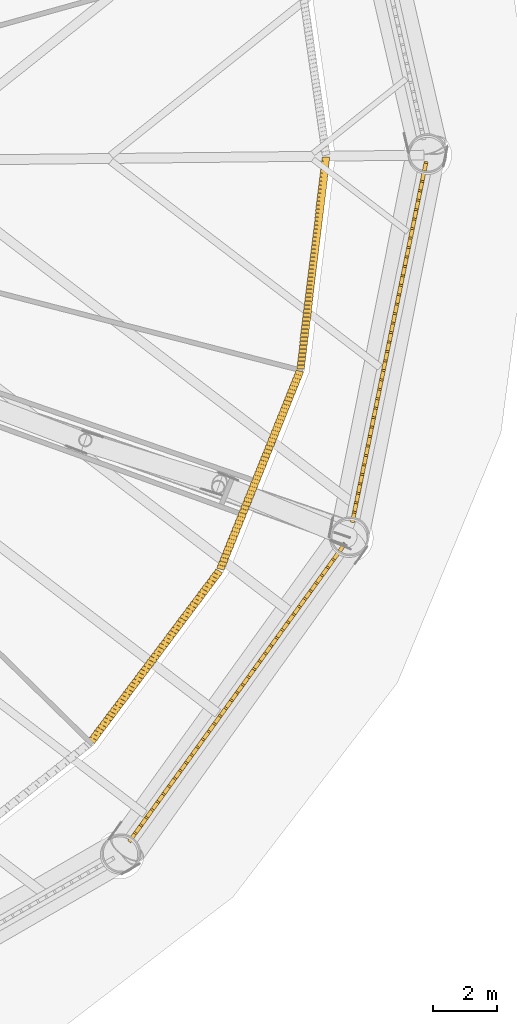
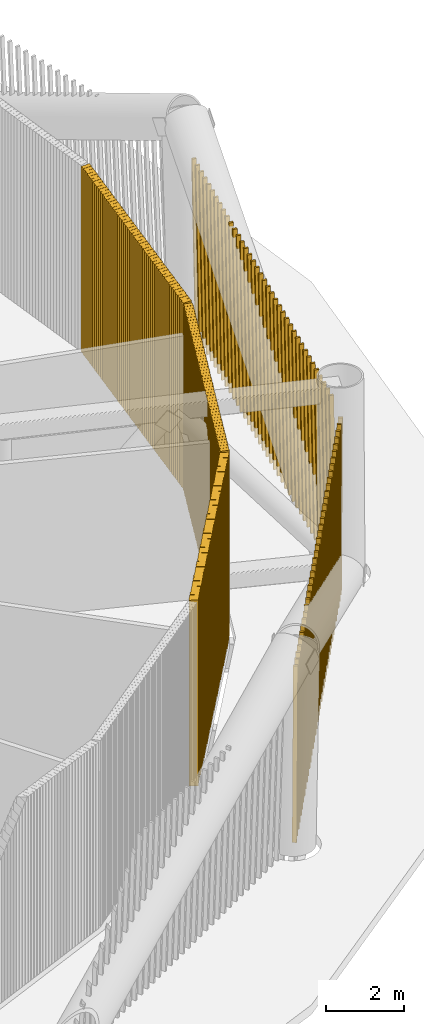
# One storey, part 42 of 48: 5 shading devices.
"""IFC4 building model written with IfcOpenShell, lengths in metres."""

from ifc_helpers import new_model, si_unit, direction, frame, frame_2d, origin, place, context, subcontext, project, spatial, rectangle, composite_profile, extrude, material, type_object, element, save


model = new_model("IFC4")

# Units and contexts
model_context = context("Model", 3, precision=1e-05, world=origin(), true_north=direction((0.0, 1.0)))
body_context = subcontext(model_context, "Body", "Model", "MODEL_VIEW")
ifc_project = project(units=[si_unit("LENGTHUNIT", "METRE"), si_unit("AREAUNIT", "SQUARE_METRE"), si_unit("VOLUMEUNIT", "CUBIC_METRE"), si_unit("PLANEANGLEUNIT", "RADIAN"), si_unit("MASSUNIT", "GRAM", prefix="KILO")], contexts=[model_context])

# Site, building, storey
site_placement = place(None, origin())
site = spatial("IfcSite", under=ifc_project, at=site_placement, CompositionType="ELEMENT")
building_placement = place(site_placement, origin())
building = spatial("IfcBuilding", under=site, at=building_placement, Name="Tarsis Ring Headquarters", CompositionType="ELEMENT")
storey_placement = place(building_placement, frame((0.0, 0.0, 34.0)))
storey = spatial("IfcBuildingStorey", under=building, at=storey_placement, Name="L06", CompositionType="ELEMENT", Elevation=34.0)

# Shading devices
ifc_material_1 = material(Name="Aluminium louvre", Category="aluminium")
shading_device_type_1 = type_object("IfcShadingDeviceType", Name="Plant louvre fin", PredefinedType="USERDEFINED", material=ifc_material_1)
shading_device_1_placement = place(storey_placement, frame((18.49609375, -18.08984375, 0.0), z_axis=(0.0, 0.0, 1.0), x_axis=(0.600414078675, 0.799680360321, 0.0)))
element("IfcShadingDevice", 1, at=shading_device_1_placement, inside=storey, type_object=shading_device_type_1, Name="Louvre L06-21", ObjectType="Louvre", PredefinedType="USERDEFINED", context=body_context, shape_type="SweptSolid", body=[
    extrude(composite_profile([rectangle(XDim=0.1201171875, YDim=0.239990234375, at=frame_2d((0.076171875, 0.0), x_axis=(0.990268068742, 0.13917310096))), rectangle(XDim=0.1201171875, YDim=0.239990234375, at=frame_2d((0.202392578125, 0.0), x_axis=(0.990268068742, 0.13917310096))), rectangle(XDim=0.1201171875, YDim=0.239990234375, at=frame_2d((0.328857421875, 0.0), x_axis=(0.990268068742, 0.13917310096))), rectangle(XDim=0.1201171875, YDim=0.239990234375, at=frame_2d((0.455078125, 0.0), x_axis=(0.990268068742, 0.13917310096))), rectangle(XDim=0.1201171875, YDim=0.239990234375, at=frame_2d((0.58154296875, 0.0), x_axis=(0.990268068742, 0.13917310096))), rectangle(XDim=0.1201171875, YDim=0.239990234375, at=frame_2d((0.707763671875, 0.0), x_axis=(0.990268068742, 0.13917310096))), rectangle(XDim=0.1201171875, YDim=0.239990234375, at=frame_2d((0.834228515625, 0.0), x_axis=(0.990268068742, 0.13917310096))), rectangle(XDim=0.1201171875, YDim=0.239990234375, at=frame_2d((0.96044921875, 0.0), x_axis=(0.990268068742, 0.13917310096))), rectangle(XDim=0.1201171875, YDim=0.239990234375, at=frame_2d((1.0869140625, 0.0), x_axis=(0.990268068742, 0.13917310096))), rectangle(XDim=0.1201171875, YDim=0.239990234375, at=frame_2d((1.213134765625, 0.0), x_axis=(0.990268068742, 0.13917310096))), rectangle(XDim=0.1201171875, YDim=0.239990234375, at=frame_2d((1.33935546875, 0.0), x_axis=(0.990268068742, 0.13917310096))), rectangle(XDim=0.1201171875, YDim=0.239990234375, at=frame_2d((1.4658203125, 0.0), x_axis=(0.990268068742, 0.13917310096))), rectangle(XDim=0.1201171875, YDim=0.239990234375, at=frame_2d((1.592041015625, 0.0), x_axis=(0.990268068742, 0.13917310096))), rectangle(XDim=0.1201171875, YDim=0.239990234375, at=frame_2d((1.718505859375, 0.0), x_axis=(0.990268068742, 0.13917310096))), rectangle(XDim=0.1201171875, YDim=0.239990234375, at=frame_2d((1.8447265625, 0.0), x_axis=(0.990268068742, 0.13917310096))), rectangle(XDim=0.1201171875, YDim=0.239990234375, at=frame_2d((1.97119140625, 0.0), x_axis=(0.990268068742, 0.13917310096))), rectangle(XDim=0.1201171875, YDim=0.239990234375, at=frame_2d((2.097412109375, 0.0), x_axis=(0.990268068742, 0.13917310096))), rectangle(XDim=0.1201171875, YDim=0.239990234375, at=frame_2d((2.223876953125, 0.0), x_axis=(0.990268068742, 0.13917310096))), rectangle(XDim=0.1201171875, YDim=0.239990234375, at=frame_2d((2.35009765625, 0.0), x_axis=(0.990268068742, 0.13917310096))), rectangle(XDim=0.1201171875, YDim=0.239990234375, at=frame_2d((2.476318359375, 0.0), x_axis=(0.990268068742, 0.13917310096))), rectangle(XDim=0.1201171875, YDim=0.239990234375, at=frame_2d((2.602783203125, 0.0), x_axis=(0.990268068742, 0.13917310096))), rectangle(XDim=0.1201171875, YDim=0.239990234375, at=frame_2d((2.72900390625, 0.0), x_axis=(0.990268068742, 0.13917310096))), rectangle(XDim=0.1201171875, YDim=0.239990234375, at=frame_2d((2.85546875, 0.0), x_axis=(0.990268068742, 0.13917310096))), rectangle(XDim=0.1201171875, YDim=0.239990234375, at=frame_2d((2.981689453125, 0.0), x_axis=(0.990268068742, 0.13917310096))), rectangle(XDim=0.1201171875, YDim=0.239990234375, at=frame_2d((3.108154296875, 0.0), x_axis=(0.990268068742, 0.13917310096))), rectangle(XDim=0.1201171875, YDim=0.239990234375, at=frame_2d((3.234375, 0.0), x_axis=(0.990268068742, 0.13917310096))), rectangle(XDim=0.1201171875, YDim=0.239990234375, at=frame_2d((3.36083984375, 0.0), x_axis=(0.990268068742, 0.13917310096))), rectangle(XDim=0.1201171875, YDim=0.239990234375, at=frame_2d((3.487060546875, 0.0), x_axis=(0.990268068742, 0.13917310096))), rectangle(XDim=0.1201171875, YDim=0.239990234375, at=frame_2d((3.61328125, 0.0), x_axis=(0.990268068742, 0.13917310096))), rectangle(XDim=0.1201171875, YDim=0.239990234375, at=frame_2d((3.73974609375, 0.0), x_axis=(0.990268068742, 0.13917310096))), rectangle(XDim=0.1201171875, YDim=0.239990234375, at=frame_2d((3.865966796875, 0.0), x_axis=(0.990268068742, 0.13917310096))), rectangle(XDim=0.1201171875, YDim=0.239990234375, at=frame_2d((3.992431640625, 0.0), x_axis=(0.990268068742, 0.13917310096))), rectangle(XDim=0.1201171875, YDim=0.239990234375, at=frame_2d((4.11865234375, 0.0), x_axis=(0.990268068742, 0.13917310096))), rectangle(XDim=0.1201171875, YDim=0.239990234375, at=frame_2d((4.2451171875, 0.0), x_axis=(0.990268068742, 0.13917310096))), rectangle(XDim=0.1201171875, YDim=0.239990234375, at=frame_2d((4.371337890625, 0.0), x_axis=(0.990268068742, 0.13917310096))), rectangle(XDim=0.1201171875, YDim=0.239990234375, at=frame_2d((4.49755859375, 0.0), x_axis=(0.990268068742, 0.13917310096))), rectangle(XDim=0.1201171875, YDim=0.239990234375, at=frame_2d((4.6240234375, 0.0), x_axis=(0.990268068742, 0.13917310096))), rectangle(XDim=0.1201171875, YDim=0.239990234375, at=frame_2d((4.750244140625, 0.0), x_axis=(0.990268068742, 0.13917310096))), rectangle(XDim=0.1201171875, YDim=0.239990234375, at=frame_2d((4.876708984375, 0.0), x_axis=(0.990268068742, 0.13917310096))), rectangle(XDim=0.1201171875, YDim=0.239990234375, at=frame_2d((5.0029296875, 0.0), x_axis=(0.990268068742, 0.13917310096))), rectangle(XDim=0.1201171875, YDim=0.239990234375, at=frame_2d((5.12939453125, 0.0), x_axis=(0.990268068742, 0.13917310096))), rectangle(XDim=0.1201171875, YDim=0.239990234375, at=frame_2d((5.255615234375, 0.0), x_axis=(0.990268068742, 0.13917310096))), rectangle(XDim=0.1201171875, YDim=0.239990234375, at=frame_2d((5.382080078125, 0.0), x_axis=(0.990268068742, 0.13917310096))), rectangle(XDim=0.1201171875, YDim=0.239990234375, at=frame_2d((5.50830078125, 0.0), x_axis=(0.990268068742, 0.13917310096))), rectangle(XDim=0.1201171875, YDim=0.239990234375, at=frame_2d((5.634521484375, 0.0), x_axis=(0.990268068742, 0.13917310096))), rectangle(XDim=0.1201171875, YDim=0.239990234375, at=frame_2d((5.760986328125, 0.0), x_axis=(0.990268068742, 0.13917310096))), rectangle(XDim=0.1201171875, YDim=0.239990234375, at=frame_2d((5.88720703125, 0.0), x_axis=(0.990268068742, 0.13917310096))), rectangle(XDim=0.1201171875, YDim=0.239990234375, at=frame_2d((6.013671875, 0.0), x_axis=(0.990268068742, 0.13917310096))), rectangle(XDim=0.1201171875, YDim=0.239990234375, at=frame_2d((6.139892578125, 0.0), x_axis=(0.990268068742, 0.13917310096))), rectangle(XDim=0.1201171875, YDim=0.239990234375, at=frame_2d((6.266357421875, 0.0), x_axis=(0.990268068742, 0.13917310096))), rectangle(XDim=0.1201171875, YDim=0.239990234375, at=frame_2d((6.392578125, 0.0), x_axis=(0.990268068742, 0.13917310096))), rectangle(XDim=0.1201171875, YDim=0.239990234375, at=frame_2d((6.51904296875, 0.0), x_axis=(0.990268068742, 0.13917310096))), rectangle(XDim=0.1201171875, YDim=0.239990234375, at=frame_2d((6.645263671875, 0.0), x_axis=(0.990268068742, 0.13917310096)))]), origin(), (0.0, 0.0, 1.0), 5.840087890625),
])
shading_device_2_placement = place(storey_placement, frame((22.5478515625, -12.686279296875, 0.0), z_axis=(0.0, 0.0, 1.0), x_axis=(0.37299771167, 0.92782681341, 0.0)))
element("IfcShadingDevice", 2, at=shading_device_2_placement, inside=storey, type_object=shading_device_type_1, Name="Louvre L06-22", ObjectType="Louvre", PredefinedType="USERDEFINED", context=body_context, shape_type="SweptSolid", body=[
    extrude(composite_profile([rectangle(XDim=0.1201171875, YDim=0.239990234375, at=frame_2d((0.076171875, 0.0), x_axis=(0.990268068742, 0.13917310096))), rectangle(XDim=0.1201171875, YDim=0.239990234375, at=frame_2d((0.202392578125, 0.0), x_axis=(0.990268068742, 0.13917310096))), rectangle(XDim=0.1201171875, YDim=0.239990234375, at=frame_2d((0.328857421875, 0.0), x_axis=(0.990268068742, 0.13917310096))), rectangle(XDim=0.1201171875, YDim=0.239990234375, at=frame_2d((0.455078125, 0.0), x_axis=(0.990268068742, 0.13917310096))), rectangle(XDim=0.1201171875, YDim=0.239990234375, at=frame_2d((0.58154296875, 0.0), x_axis=(0.990268068742, 0.13917310096))), rectangle(XDim=0.1201171875, YDim=0.239990234375, at=frame_2d((0.707763671875, 0.0), x_axis=(0.990268068742, 0.13917310096))), rectangle(XDim=0.1201171875, YDim=0.239990234375, at=frame_2d((0.834228515625, 0.0), x_axis=(0.990268068742, 0.13917310096))), rectangle(XDim=0.1201171875, YDim=0.239990234375, at=frame_2d((0.96044921875, 0.0), x_axis=(0.990268068742, 0.13917310096))), rectangle(XDim=0.1201171875, YDim=0.239990234375, at=frame_2d((1.0869140625, 0.0), x_axis=(0.990268068742, 0.13917310096))), rectangle(XDim=0.1201171875, YDim=0.239990234375, at=frame_2d((1.213134765625, 0.0), x_axis=(0.990268068742, 0.13917310096))), rectangle(XDim=0.1201171875, YDim=0.239990234375, at=frame_2d((1.33935546875, 0.0), x_axis=(0.990268068742, 0.13917310096))), rectangle(XDim=0.1201171875, YDim=0.239990234375, at=frame_2d((1.4658203125, 0.0), x_axis=(0.990268068742, 0.13917310096))), rectangle(XDim=0.1201171875, YDim=0.239990234375, at=frame_2d((1.592041015625, 0.0), x_axis=(0.990268068742, 0.13917310096))), rectangle(XDim=0.1201171875, YDim=0.239990234375, at=frame_2d((1.718505859375, 0.0), x_axis=(0.990268068742, 0.13917310096))), rectangle(XDim=0.1201171875, YDim=0.239990234375, at=frame_2d((1.8447265625, 0.0), x_axis=(0.990268068742, 0.13917310096))), rectangle(XDim=0.1201171875, YDim=0.239990234375, at=frame_2d((1.97119140625, 0.0), x_axis=(0.990268068742, 0.13917310096))), rectangle(XDim=0.1201171875, YDim=0.239990234375, at=frame_2d((2.097412109375, 0.0), x_axis=(0.990268068742, 0.13917310096))), rectangle(XDim=0.1201171875, YDim=0.239990234375, at=frame_2d((2.223876953125, 0.0), x_axis=(0.990268068742, 0.13917310096))), rectangle(XDim=0.1201171875, YDim=0.239990234375, at=frame_2d((2.35009765625, 0.0), x_axis=(0.990268068742, 0.13917310096))), rectangle(XDim=0.1201171875, YDim=0.239990234375, at=frame_2d((2.476318359375, 0.0), x_axis=(0.990268068742, 0.13917310096))), rectangle(XDim=0.1201171875, YDim=0.239990234375, at=frame_2d((2.602783203125, 0.0), x_axis=(0.990268068742, 0.13917310096))), rectangle(XDim=0.1201171875, YDim=0.239990234375, at=frame_2d((2.72900390625, 0.0), x_axis=(0.990268068742, 0.13917310096))), rectangle(XDim=0.1201171875, YDim=0.239990234375, at=frame_2d((2.85546875, 0.0), x_axis=(0.990268068742, 0.13917310096))), rectangle(XDim=0.1201171875, YDim=0.239990234375, at=frame_2d((2.981689453125, 0.0), x_axis=(0.990268068742, 0.13917310096))), rectangle(XDim=0.1201171875, YDim=0.239990234375, at=frame_2d((3.108154296875, 0.0), x_axis=(0.990268068742, 0.13917310096))), rectangle(XDim=0.1201171875, YDim=0.239990234375, at=frame_2d((3.234375, 0.0), x_axis=(0.990268068742, 0.13917310096))), rectangle(XDim=0.1201171875, YDim=0.239990234375, at=frame_2d((3.36083984375, 0.0), x_axis=(0.990268068742, 0.13917310096))), rectangle(XDim=0.1201171875, YDim=0.239990234375, at=frame_2d((3.487060546875, 0.0), x_axis=(0.990268068742, 0.13917310096))), rectangle(XDim=0.1201171875, YDim=0.239990234375, at=frame_2d((3.61328125, 0.0), x_axis=(0.990268068742, 0.13917310096))), rectangle(XDim=0.1201171875, YDim=0.239990234375, at=frame_2d((3.73974609375, 0.0), x_axis=(0.990268068742, 0.13917310096))), rectangle(XDim=0.1201171875, YDim=0.239990234375, at=frame_2d((3.865966796875, 0.0), x_axis=(0.990268068742, 0.13917310096))), rectangle(XDim=0.1201171875, YDim=0.239990234375, at=frame_2d((3.992431640625, 0.0), x_axis=(0.990268068742, 0.13917310096))), rectangle(XDim=0.1201171875, YDim=0.239990234375, at=frame_2d((4.11865234375, 0.0), x_axis=(0.990268068742, 0.13917310096))), rectangle(XDim=0.1201171875, YDim=0.239990234375, at=frame_2d((4.2451171875, 0.0), x_axis=(0.990268068742, 0.13917310096))), rectangle(XDim=0.1201171875, YDim=0.239990234375, at=frame_2d((4.371337890625, 0.0), x_axis=(0.990268068742, 0.13917310096))), rectangle(XDim=0.1201171875, YDim=0.239990234375, at=frame_2d((4.49755859375, 0.0), x_axis=(0.990268068742, 0.13917310096))), rectangle(XDim=0.1201171875, YDim=0.239990234375, at=frame_2d((4.6240234375, 0.0), x_axis=(0.990268068742, 0.13917310096))), rectangle(XDim=0.1201171875, YDim=0.239990234375, at=frame_2d((4.750244140625, 0.0), x_axis=(0.990268068742, 0.13917310096))), rectangle(XDim=0.1201171875, YDim=0.239990234375, at=frame_2d((4.876708984375, 0.0), x_axis=(0.990268068742, 0.13917310096))), rectangle(XDim=0.1201171875, YDim=0.239990234375, at=frame_2d((5.0029296875, 0.0), x_axis=(0.990268068742, 0.13917310096))), rectangle(XDim=0.1201171875, YDim=0.239990234375, at=frame_2d((5.12939453125, 0.0), x_axis=(0.990268068742, 0.13917310096))), rectangle(XDim=0.1201171875, YDim=0.239990234375, at=frame_2d((5.255615234375, 0.0), x_axis=(0.990268068742, 0.13917310096))), rectangle(XDim=0.1201171875, YDim=0.239990234375, at=frame_2d((5.382080078125, 0.0), x_axis=(0.990268068742, 0.13917310096))), rectangle(XDim=0.1201171875, YDim=0.239990234375, at=frame_2d((5.50830078125, 0.0), x_axis=(0.990268068742, 0.13917310096))), rectangle(XDim=0.1201171875, YDim=0.239990234375, at=frame_2d((5.634521484375, 0.0), x_axis=(0.990268068742, 0.13917310096))), rectangle(XDim=0.1201171875, YDim=0.239990234375, at=frame_2d((5.760986328125, 0.0), x_axis=(0.990268068742, 0.13917310096))), rectangle(XDim=0.1201171875, YDim=0.239990234375, at=frame_2d((5.88720703125, 0.0), x_axis=(0.990268068742, 0.13917310096))), rectangle(XDim=0.1201171875, YDim=0.239990234375, at=frame_2d((6.013671875, 0.0), x_axis=(0.990268068742, 0.13917310096))), rectangle(XDim=0.1201171875, YDim=0.239990234375, at=frame_2d((6.139892578125, 0.0), x_axis=(0.990268068742, 0.13917310096))), rectangle(XDim=0.1201171875, YDim=0.239990234375, at=frame_2d((6.266357421875, 0.0), x_axis=(0.990268068742, 0.13917310096))), rectangle(XDim=0.1201171875, YDim=0.239990234375, at=frame_2d((6.392578125, 0.0), x_axis=(0.990268068742, 0.13917310096))), rectangle(XDim=0.1201171875, YDim=0.239990234375, at=frame_2d((6.51904296875, 0.0), x_axis=(0.990268068742, 0.13917310096))), rectangle(XDim=0.1201171875, YDim=0.239990234375, at=frame_2d((6.645263671875, 0.0), x_axis=(0.990268068742, 0.13917310096)))]), origin(), (0.0, 0.0, 1.0), 5.840087890625),
])
shading_device_3_placement = place(storey_placement, frame((25.06298828125, -6.418212890625, 0.0), z_axis=(0.0, 0.0, 1.0), x_axis=(0.120155461117, 0.992771784534, 0.0)))
element("IfcShadingDevice", 3, at=shading_device_3_placement, inside=storey, type_object=shading_device_type_1, Name="Louvre L06-23", ObjectType="Louvre", PredefinedType="USERDEFINED", context=body_context, shape_type="SweptSolid", body=[
    extrude(composite_profile([rectangle(XDim=0.1201171875, YDim=0.239990234375, at=frame_2d((0.076171875, 0.0), x_axis=(0.990268068742, 0.13917310096))), rectangle(XDim=0.1201171875, YDim=0.239990234375, at=frame_2d((0.202392578125, 0.0), x_axis=(0.990268068742, 0.13917310096))), rectangle(XDim=0.1201171875, YDim=0.239990234375, at=frame_2d((0.328857421875, 0.0), x_axis=(0.990268068742, 0.13917310096))), rectangle(XDim=0.1201171875, YDim=0.239990234375, at=frame_2d((0.455078125, 0.0), x_axis=(0.990268068742, 0.13917310096))), rectangle(XDim=0.1201171875, YDim=0.239990234375, at=frame_2d((0.58154296875, 0.0), x_axis=(0.990268068742, 0.13917310096))), rectangle(XDim=0.1201171875, YDim=0.239990234375, at=frame_2d((0.707763671875, 0.0), x_axis=(0.990268068742, 0.13917310096))), rectangle(XDim=0.1201171875, YDim=0.239990234375, at=frame_2d((0.834228515625, 0.0), x_axis=(0.990268068742, 0.13917310096))), rectangle(XDim=0.1201171875, YDim=0.239990234375, at=frame_2d((0.96044921875, 0.0), x_axis=(0.990268068742, 0.13917310096))), rectangle(XDim=0.1201171875, YDim=0.239990234375, at=frame_2d((1.0869140625, 0.0), x_axis=(0.990268068742, 0.13917310096))), rectangle(XDim=0.1201171875, YDim=0.239990234375, at=frame_2d((1.213134765625, 0.0), x_axis=(0.990268068742, 0.13917310096))), rectangle(XDim=0.1201171875, YDim=0.239990234375, at=frame_2d((1.33935546875, 0.0), x_axis=(0.990268068742, 0.13917310096))), rectangle(XDim=0.1201171875, YDim=0.239990234375, at=frame_2d((1.4658203125, 0.0), x_axis=(0.990268068742, 0.13917310096))), rectangle(XDim=0.1201171875, YDim=0.239990234375, at=frame_2d((1.592041015625, 0.0), x_axis=(0.990268068742, 0.13917310096))), rectangle(XDim=0.1201171875, YDim=0.239990234375, at=frame_2d((1.718505859375, 0.0), x_axis=(0.990268068742, 0.13917310096))), rectangle(XDim=0.1201171875, YDim=0.239990234375, at=frame_2d((1.8447265625, 0.0), x_axis=(0.990268068742, 0.13917310096))), rectangle(XDim=0.1201171875, YDim=0.239990234375, at=frame_2d((1.97119140625, 0.0), x_axis=(0.990268068742, 0.13917310096))), rectangle(XDim=0.1201171875, YDim=0.239990234375, at=frame_2d((2.097412109375, 0.0), x_axis=(0.990268068742, 0.13917310096))), rectangle(XDim=0.1201171875, YDim=0.239990234375, at=frame_2d((2.223876953125, 0.0), x_axis=(0.990268068742, 0.13917310096))), rectangle(XDim=0.1201171875, YDim=0.239990234375, at=frame_2d((2.35009765625, 0.0), x_axis=(0.990268068742, 0.13917310096))), rectangle(XDim=0.1201171875, YDim=0.239990234375, at=frame_2d((2.476318359375, 0.0), x_axis=(0.990268068742, 0.13917310096))), rectangle(XDim=0.1201171875, YDim=0.239990234375, at=frame_2d((2.602783203125, 0.0), x_axis=(0.990268068742, 0.13917310096))), rectangle(XDim=0.1201171875, YDim=0.239990234375, at=frame_2d((2.72900390625, 0.0), x_axis=(0.990268068742, 0.13917310096))), rectangle(XDim=0.1201171875, YDim=0.239990234375, at=frame_2d((2.85546875, 0.0), x_axis=(0.990268068742, 0.13917310096))), rectangle(XDim=0.1201171875, YDim=0.239990234375, at=frame_2d((2.981689453125, 0.0), x_axis=(0.990268068742, 0.13917310096))), rectangle(XDim=0.1201171875, YDim=0.239990234375, at=frame_2d((3.108154296875, 0.0), x_axis=(0.990268068742, 0.13917310096))), rectangle(XDim=0.1201171875, YDim=0.239990234375, at=frame_2d((3.234375, 0.0), x_axis=(0.990268068742, 0.13917310096))), rectangle(XDim=0.1201171875, YDim=0.239990234375, at=frame_2d((3.36083984375, 0.0), x_axis=(0.990268068742, 0.13917310096))), rectangle(XDim=0.1201171875, YDim=0.239990234375, at=frame_2d((3.487060546875, 0.0), x_axis=(0.990268068742, 0.13917310096))), rectangle(XDim=0.1201171875, YDim=0.239990234375, at=frame_2d((3.61328125, 0.0), x_axis=(0.990268068742, 0.13917310096))), rectangle(XDim=0.1201171875, YDim=0.239990234375, at=frame_2d((3.73974609375, 0.0), x_axis=(0.990268068742, 0.13917310096))), rectangle(XDim=0.1201171875, YDim=0.239990234375, at=frame_2d((3.865966796875, 0.0), x_axis=(0.990268068742, 0.13917310096))), rectangle(XDim=0.1201171875, YDim=0.239990234375, at=frame_2d((3.992431640625, 0.0), x_axis=(0.990268068742, 0.13917310096))), rectangle(XDim=0.1201171875, YDim=0.239990234375, at=frame_2d((4.11865234375, 0.0), x_axis=(0.990268068742, 0.13917310096))), rectangle(XDim=0.1201171875, YDim=0.239990234375, at=frame_2d((4.2451171875, 0.0), x_axis=(0.990268068742, 0.13917310096))), rectangle(XDim=0.1201171875, YDim=0.239990234375, at=frame_2d((4.371337890625, 0.0), x_axis=(0.990268068742, 0.13917310096))), rectangle(XDim=0.1201171875, YDim=0.239990234375, at=frame_2d((4.49755859375, 0.0), x_axis=(0.990268068742, 0.13917310096))), rectangle(XDim=0.1201171875, YDim=0.239990234375, at=frame_2d((4.6240234375, 0.0), x_axis=(0.990268068742, 0.13917310096))), rectangle(XDim=0.1201171875, YDim=0.239990234375, at=frame_2d((4.750244140625, 0.0), x_axis=(0.990268068742, 0.13917310096))), rectangle(XDim=0.1201171875, YDim=0.239990234375, at=frame_2d((4.876708984375, 0.0), x_axis=(0.990268068742, 0.13917310096))), rectangle(XDim=0.1201171875, YDim=0.239990234375, at=frame_2d((5.0029296875, 0.0), x_axis=(0.990268068742, 0.13917310096))), rectangle(XDim=0.1201171875, YDim=0.239990234375, at=frame_2d((5.12939453125, 0.0), x_axis=(0.990268068742, 0.13917310096))), rectangle(XDim=0.1201171875, YDim=0.239990234375, at=frame_2d((5.255615234375, 0.0), x_axis=(0.990268068742, 0.13917310096))), rectangle(XDim=0.1201171875, YDim=0.239990234375, at=frame_2d((5.382080078125, 0.0), x_axis=(0.990268068742, 0.13917310096))), rectangle(XDim=0.1201171875, YDim=0.239990234375, at=frame_2d((5.50830078125, 0.0), x_axis=(0.990268068742, 0.13917310096))), rectangle(XDim=0.1201171875, YDim=0.239990234375, at=frame_2d((5.634521484375, 0.0), x_axis=(0.990268068742, 0.13917310096))), rectangle(XDim=0.1201171875, YDim=0.239990234375, at=frame_2d((5.760986328125, 0.0), x_axis=(0.990268068742, 0.13917310096))), rectangle(XDim=0.1201171875, YDim=0.239990234375, at=frame_2d((5.88720703125, 0.0), x_axis=(0.990268068742, 0.13917310096))), rectangle(XDim=0.1201171875, YDim=0.239990234375, at=frame_2d((6.013671875, 0.0), x_axis=(0.990268068742, 0.13917310096))), rectangle(XDim=0.1201171875, YDim=0.239990234375, at=frame_2d((6.139892578125, 0.0), x_axis=(0.990268068742, 0.13917310096))), rectangle(XDim=0.1201171875, YDim=0.239990234375, at=frame_2d((6.266357421875, 0.0), x_axis=(0.990268068742, 0.13917310096))), rectangle(XDim=0.1201171875, YDim=0.239990234375, at=frame_2d((6.392578125, 0.0), x_axis=(0.990268068742, 0.13917310096))), rectangle(XDim=0.1201171875, YDim=0.239990234375, at=frame_2d((6.51904296875, 0.0), x_axis=(0.990268068742, 0.13917310096))), rectangle(XDim=0.1201171875, YDim=0.239990234375, at=frame_2d((6.645263671875, 0.0), x_axis=(0.990268068742, 0.13917310096)))]), origin(), (0.0, 0.0, 1.0), 5.840087890625),
])
ifc_material_2 = material(Name="Terracotta baguette", Category="masonry")
shading_device_type_2 = type_object("IfcShadingDeviceType", Name="Terracotta baguette screen", PredefinedType="USERDEFINED", material=ifc_material_2)
shading_device_4_placement = place(storey_placement, frame((19.698486328125, -21.211181640625, -0.300048828125), z_axis=(0.0, 0.0, 1.0), x_axis=(0.58655265214, 0.809901033076, 0.0)))
element("IfcShadingDevice", 4, at=shading_device_4_placement, inside=storey, type_object=shading_device_type_2, Name="Baguette screen L06-09", ObjectType="Terracotta baguette screen", PredefinedType="USERDEFINED", context=body_context, shape_type="SweptSolid", body=[
    extrude(composite_profile([rectangle(XDim=0.06005859375, YDim=0.1201171875, at=frame_2d((0.030029296875, 0.0))), rectangle(XDim=0.06005859375, YDim=0.1201171875, at=frame_2d((0.33251953125, 0.0))), rectangle(XDim=0.06005859375, YDim=0.1201171875, at=frame_2d((0.634765625, 0.0))), rectangle(XDim=0.06005859375, YDim=0.1201171875, at=frame_2d((0.937255859375, 0.0))), rectangle(XDim=0.06005859375, YDim=0.1201171875, at=frame_2d((1.239501953125, 0.0))), rectangle(XDim=0.06005859375, YDim=0.1201171875, at=frame_2d((1.5419921875, 0.0))), rectangle(XDim=0.06005859375, YDim=0.1201171875, at=frame_2d((1.844482421875, 0.0))), rectangle(XDim=0.06005859375, YDim=0.1201171875, at=frame_2d((2.146728515625, 0.0))), rectangle(XDim=0.06005859375, YDim=0.1201171875, at=frame_2d((2.44921875, 0.0))), rectangle(XDim=0.06005859375, YDim=0.1201171875, at=frame_2d((2.751708984375, 0.0))), rectangle(XDim=0.06005859375, YDim=0.1201171875, at=frame_2d((3.053955078125, 0.0))), rectangle(XDim=0.06005859375, YDim=0.1201171875, at=frame_2d((3.3564453125, 0.0))), rectangle(XDim=0.06005859375, YDim=0.1201171875, at=frame_2d((3.65869140625, 0.0))), rectangle(XDim=0.06005859375, YDim=0.1201171875, at=frame_2d((3.961181640625, 0.0))), rectangle(XDim=0.06005859375, YDim=0.1201171875, at=frame_2d((4.263671875, 0.0))), rectangle(XDim=0.06005859375, YDim=0.1201171875, at=frame_2d((4.56591796875, 0.0))), rectangle(XDim=0.06005859375, YDim=0.1201171875, at=frame_2d((4.868408203125, 0.0))), rectangle(XDim=0.06005859375, YDim=0.1201171875, at=frame_2d((5.1708984375, 0.0))), rectangle(XDim=0.06005859375, YDim=0.1201171875, at=frame_2d((5.47314453125, 0.0))), rectangle(XDim=0.06005859375, YDim=0.1201171875, at=frame_2d((5.775634765625, 0.0))), rectangle(XDim=0.06005859375, YDim=0.1201171875, at=frame_2d((6.077880859375, 0.0))), rectangle(XDim=0.06005859375, YDim=0.1201171875, at=frame_2d((6.38037109375, 0.0))), rectangle(XDim=0.06005859375, YDim=0.1201171875, at=frame_2d((6.682861328125, 0.0))), rectangle(XDim=0.06005859375, YDim=0.1201171875, at=frame_2d((6.985107421875, 0.0))), rectangle(XDim=0.06005859375, YDim=0.1201171875, at=frame_2d((7.28759765625, 0.0))), rectangle(XDim=0.06005859375, YDim=0.1201171875, at=frame_2d((7.590087890625, 0.0))), rectangle(XDim=0.06005859375, YDim=0.1201171875, at=frame_2d((7.892333984375, 0.0))), rectangle(XDim=0.06005859375, YDim=0.1201171875, at=frame_2d((8.19482421875, 0.0))), rectangle(XDim=0.06005859375, YDim=0.1201171875, at=frame_2d((8.4970703125, 0.0))), rectangle(XDim=0.06005859375, YDim=0.1201171875, at=frame_2d((8.799560546875, 0.0))), rectangle(XDim=0.06005859375, YDim=0.1201171875, at=frame_2d((9.10205078125, 0.0))), rectangle(XDim=0.06005859375, YDim=0.1201171875, at=frame_2d((9.404296875, 0.0))), rectangle(XDim=0.06005859375, YDim=0.1201171875, at=frame_2d((9.706787109375, 0.0))), rectangle(XDim=0.06005859375, YDim=0.1201171875, at=frame_2d((10.00927734375, 0.0))), rectangle(XDim=0.06005859375, YDim=0.1201171875, at=frame_2d((10.3115234375, 0.0))), rectangle(XDim=0.06005859375, YDim=0.1201171875, at=frame_2d((10.614013671875, 0.0))), rectangle(XDim=0.06005859375, YDim=0.1201171875, at=frame_2d((10.916259765625, 0.0))), rectangle(XDim=0.06005859375, YDim=0.1201171875, at=frame_2d((11.21875, 0.0)))]), origin(), (0.055467505943, 0.000289775879, 0.998460450801), 5.36083984375),
])
shading_device_5_placement = place(storey_placement, frame((26.690185546875, -11.205810546875, -0.300048828125), z_axis=(0.0, 0.0, 1.0), x_axis=(0.200586001085, 0.979685295714, 0.0)))
element("IfcShadingDevice", 5, at=shading_device_5_placement, inside=storey, type_object=shading_device_type_2, Name="Baguette screen L06-10", ObjectType="Terracotta baguette screen", PredefinedType="USERDEFINED", context=body_context, shape_type="SweptSolid", body=[
    extrude(composite_profile([rectangle(XDim=0.06005859375, YDim=0.1201171875, at=frame_2d((0.030029296875, 0.0))), rectangle(XDim=0.06005859375, YDim=0.1201171875, at=frame_2d((0.33251953125, 0.0))), rectangle(XDim=0.06005859375, YDim=0.1201171875, at=frame_2d((0.634765625, 0.0))), rectangle(XDim=0.06005859375, YDim=0.1201171875, at=frame_2d((0.937255859375, 0.0))), rectangle(XDim=0.06005859375, YDim=0.1201171875, at=frame_2d((1.239501953125, 0.0))), rectangle(XDim=0.06005859375, YDim=0.1201171875, at=frame_2d((1.5419921875, 0.0))), rectangle(XDim=0.06005859375, YDim=0.1201171875, at=frame_2d((1.844482421875, 0.0))), rectangle(XDim=0.06005859375, YDim=0.1201171875, at=frame_2d((2.146728515625, 0.0))), rectangle(XDim=0.06005859375, YDim=0.1201171875, at=frame_2d((2.44921875, 0.0))), rectangle(XDim=0.06005859375, YDim=0.1201171875, at=frame_2d((2.751708984375, 0.0))), rectangle(XDim=0.06005859375, YDim=0.1201171875, at=frame_2d((3.053955078125, 0.0))), rectangle(XDim=0.06005859375, YDim=0.1201171875, at=frame_2d((3.3564453125, 0.0))), rectangle(XDim=0.06005859375, YDim=0.1201171875, at=frame_2d((3.65869140625, 0.0))), rectangle(XDim=0.06005859375, YDim=0.1201171875, at=frame_2d((3.961181640625, 0.0))), rectangle(XDim=0.06005859375, YDim=0.1201171875, at=frame_2d((4.263671875, 0.0))), rectangle(XDim=0.06005859375, YDim=0.1201171875, at=frame_2d((4.56591796875, 0.0))), rectangle(XDim=0.06005859375, YDim=0.1201171875, at=frame_2d((4.868408203125, 0.0))), rectangle(XDim=0.06005859375, YDim=0.1201171875, at=frame_2d((5.1708984375, 0.0))), rectangle(XDim=0.06005859375, YDim=0.1201171875, at=frame_2d((5.47314453125, 0.0))), rectangle(XDim=0.06005859375, YDim=0.1201171875, at=frame_2d((5.775634765625, 0.0))), rectangle(XDim=0.06005859375, YDim=0.1201171875, at=frame_2d((6.077880859375, 0.0))), rectangle(XDim=0.06005859375, YDim=0.1201171875, at=frame_2d((6.38037109375, 0.0))), rectangle(XDim=0.06005859375, YDim=0.1201171875, at=frame_2d((6.682861328125, 0.0))), rectangle(XDim=0.06005859375, YDim=0.1201171875, at=frame_2d((6.985107421875, 0.0))), rectangle(XDim=0.06005859375, YDim=0.1201171875, at=frame_2d((7.28759765625, 0.0))), rectangle(XDim=0.06005859375, YDim=0.1201171875, at=frame_2d((7.590087890625, 0.0))), rectangle(XDim=0.06005859375, YDim=0.1201171875, at=frame_2d((7.892333984375, 0.0))), rectangle(XDim=0.06005859375, YDim=0.1201171875, at=frame_2d((8.19482421875, 0.0))), rectangle(XDim=0.06005859375, YDim=0.1201171875, at=frame_2d((8.4970703125, 0.0))), rectangle(XDim=0.06005859375, YDim=0.1201171875, at=frame_2d((8.799560546875, 0.0))), rectangle(XDim=0.06005859375, YDim=0.1201171875, at=frame_2d((9.10205078125, 0.0))), rectangle(XDim=0.06005859375, YDim=0.1201171875, at=frame_2d((9.404296875, 0.0))), rectangle(XDim=0.06005859375, YDim=0.1201171875, at=frame_2d((9.706787109375, 0.0))), rectangle(XDim=0.06005859375, YDim=0.1201171875, at=frame_2d((10.00927734375, 0.0))), rectangle(XDim=0.06005859375, YDim=0.1201171875, at=frame_2d((10.3115234375, 0.0))), rectangle(XDim=0.06005859375, YDim=0.1201171875, at=frame_2d((10.614013671875, 0.0))), rectangle(XDim=0.06005859375, YDim=0.1201171875, at=frame_2d((10.916259765625, 0.0))), rectangle(XDim=0.06005859375, YDim=0.1201171875, at=frame_2d((11.21875, 0.0)))]), origin(), (0.055468414663, 0.000290397457, 0.998460400138), 5.36083984375),
])

save(model, "model.ifc")
